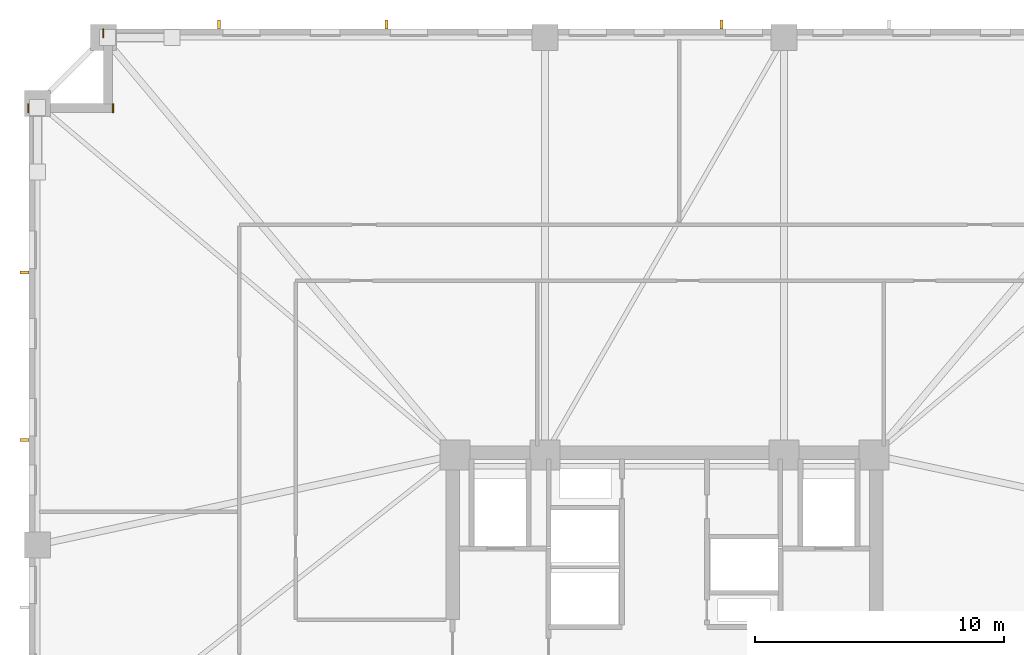
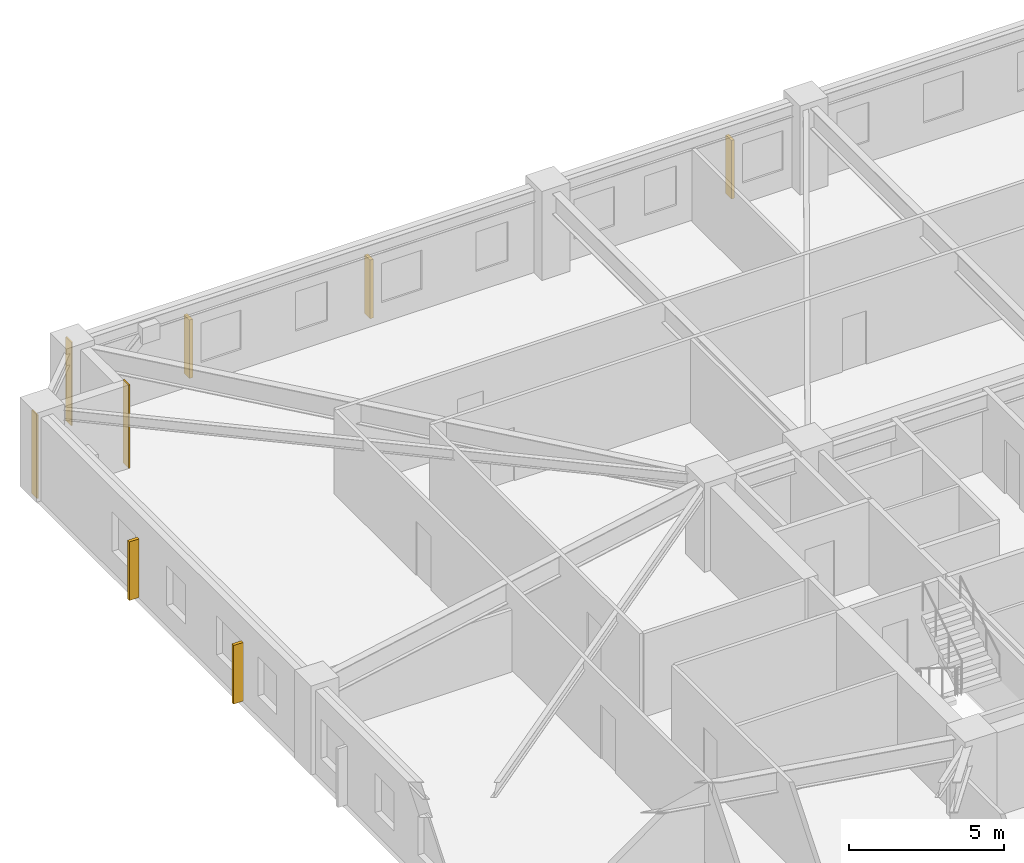
# One storey, part 9 of 10: 5 shading devices, 3 coverings.
"""IFC4 building model written with IfcOpenShell, lengths in metres."""

from ifc_helpers import new_model, si_unit, direction, frame, frame_2d, origin, origin_2d, place, context, subcontext, project, spatial, rectangle, extrude, material, layer, layer_set, type_object, element, save


model = new_model("IFC4")

# Units and contexts
model_context = context("Model", 3, precision=1e-05, world=origin(), true_north=direction((0.0, 1.0)))
body_context = subcontext(model_context, "Body", "Model", "MODEL_VIEW")
ifc_project = project(units=[si_unit("LENGTHUNIT", "METRE"), si_unit("AREAUNIT", "SQUARE_METRE"), si_unit("VOLUMEUNIT", "CUBIC_METRE"), si_unit("PLANEANGLEUNIT", "RADIAN"), si_unit("MASSUNIT", "GRAM", prefix="KILO")], contexts=[model_context])

# Site, building, storey
site_placement = place(None, origin())
site = spatial("IfcSite", under=ifc_project, at=site_placement, CompositionType="ELEMENT")
building_placement = place(site_placement, origin())
building = spatial("IfcBuilding", under=site, at=building_placement, Name="Cairnveth Concourse Tower", CompositionType="ELEMENT")
storey_placement = place(building_placement, frame((0.0, 0.0, 30.5)))
storey = spatial("IfcBuildingStorey", under=building, at=storey_placement, Name="L07", CompositionType="ELEMENT", Elevation=30.5)

# Coverings
ifc_material_1 = material(Name="Dressed Melbourne Bluestone Cladding", Category="masonry")
ifc_layer = layer(ifc_material_1, 0.050048828125)
ifc_layer_set = layer_set([ifc_layer], Name="Dressed Melbourne Bluestone Cladding")
covering_type = type_object("IfcCoveringType", Name="DRESSED BLUESTONE PLINTH CLADDING 50", PredefinedType="CLADDING", material=ifc_layer_set)
for number, where, z_axis, x_axis, name in (
    (1, (26.47998046875, 61.139892578125, 0.0), (0.0, 0.0, 1.0), (0.0, 1.0, 0.0), "Melbourne Bluestone Corner Quoin L07-59"),
    (2, (29.8798828125, 61.139892578125, 0.0), (0.0, 0.0, 1.0), (0.0, 1.0, 0.0), "Melbourne Bluestone Corner Quoin L07-60"),
    (3, (29.47998046875, 64.139892578125, 0.0), (0.0, 0.0, 1.0), (0.0, 1.0, 0.0), "Melbourne Bluestone Corner Quoin L07-61"),
):
    element("IfcCovering", number, at=place(storey_placement, frame(where, z_axis=z_axis, x_axis=x_axis)), inside=storey, type_object=covering_type, Name=name, PredefinedType="CLADDING", context=body_context, shape_type="SweptSolid", body=[
        extrude(rectangle(XDim=0.360107421875, YDim=0.050048828125, at=frame_2d((0.18017578125, 0.0))), origin(), (0.0, 0.0, 1.0), 3.280029296875),
    ])

# Shading devices
ifc_material_2 = material(Name="Architectural Bronze Anodised Aluminium 6063-T6", Category="aluminium")
shading_device_type = type_object("IfcShadingDeviceType", Name="GOTHIC BRONZE VERTICAL LANCET FIN", PredefinedType="USERDEFINED", material=ifc_material_2)
for number, where, z_axis, x_axis, name in (
    (4, (26.324951171875, 48.00146484375, 0.02978515625), (0.0, 0.0, 1.0), (0.0, 1.0, 0.0), "Gothic Bronze Vertical Fin L07-3-9"),
    (5, (26.324951171875, 54.721923828125, 0.02978515625), (0.0, 0.0, 1.0), (0.0, 1.0, 0.0), "Gothic Bronze Vertical Fin L07-3-11"),
    (6, (34.1201171875, 64.675048828125, 0.02978515625), (0.0, 0.0, 1.0), (1.0, 0.0, 0.0), "Gothic Bronze Vertical Fin L07-6-1"),
    (7, (40.840576171875, 64.675048828125, 0.02978515625), (0.0, 0.0, 1.0), (1.0, 0.0, 0.0), "Gothic Bronze Vertical Fin L07-6-3"),
    (8, (54.28125, 64.675048828125, 0.02978515625), (0.0, 0.0, 1.0), (1.0, 0.0, 0.0), "Gothic Bronze Vertical Fin L07-6-7"),
):
    element("IfcShadingDevice", number, at=place(storey_placement, frame(where, z_axis=z_axis, x_axis=x_axis)), inside=storey, type_object=shading_device_type, Name=name, ObjectType="VERTICAL FIN", PredefinedType="USERDEFINED", context=body_context, shape_type="SweptSolid", body=[
        extrude(rectangle(XDim=0.1201171875, YDim=0.360107421875, at=origin_2d()), origin(), (0.0, 0.0, 1.0), 2.303955078125),
    ])

save(model, "model.ifc")
